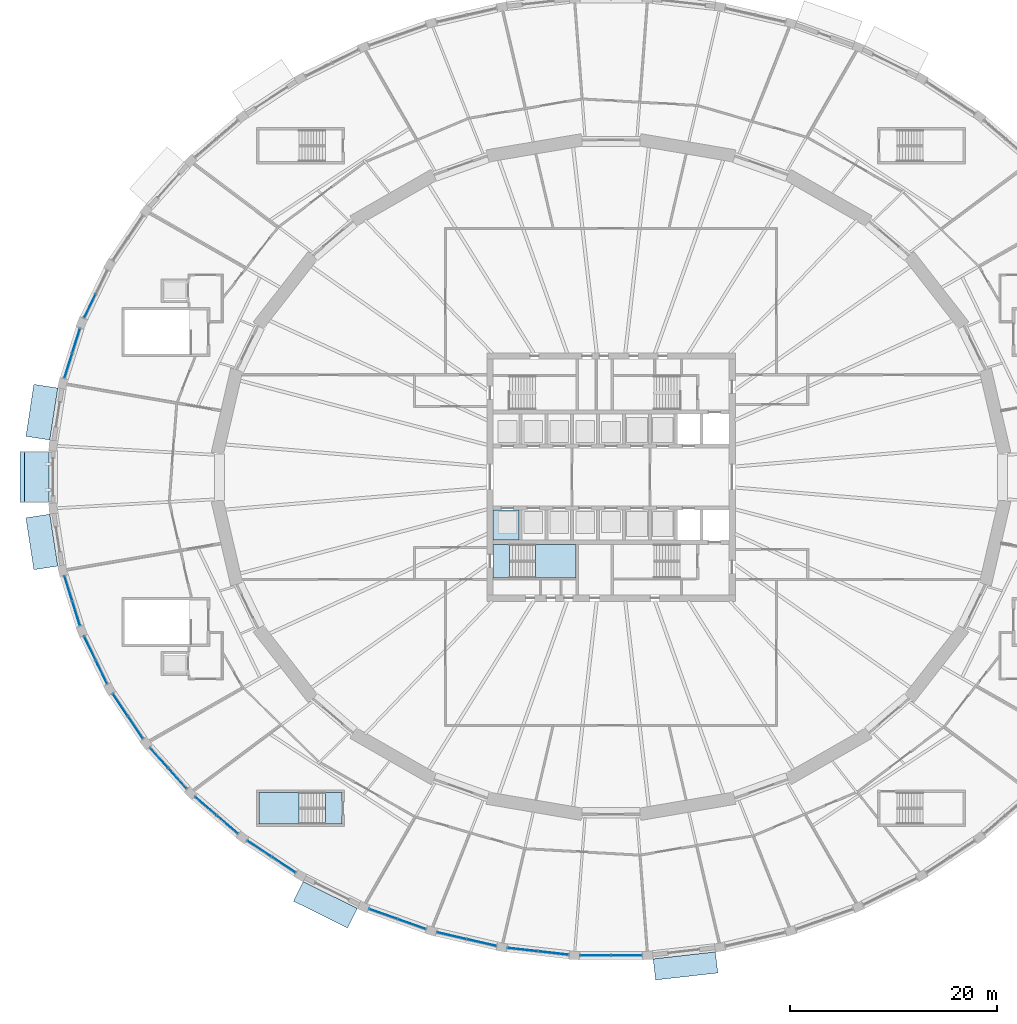
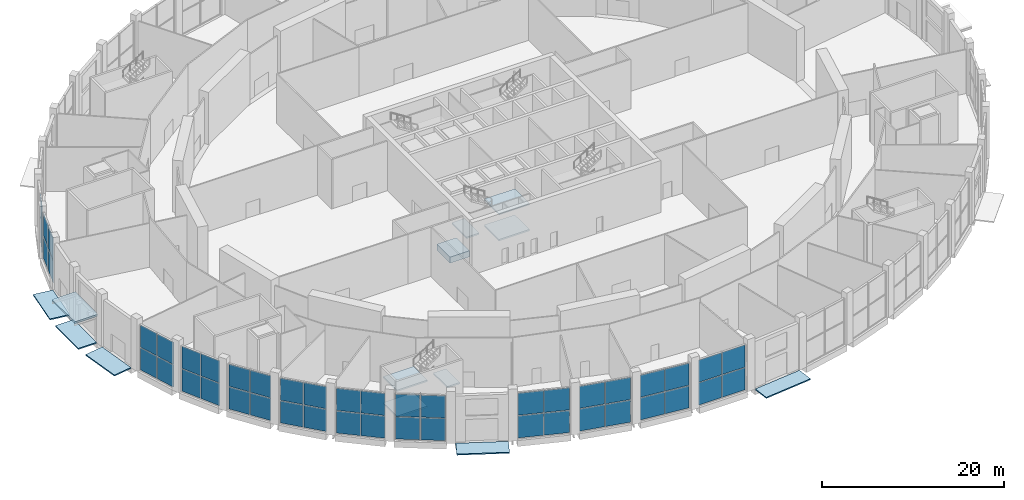
# One storey, part 15 of 33: 46 plates, 13 slabs, 14 elements without a shape of their own.
"""IFC4 building model written with IfcOpenShell, lengths in metres."""

from ifc_helpers import new_model, si_unit, direction, frame, origin, origin_2d, place, context, subcontext, project, spatial, polyline, rectangle, outline, extrude, material, layer, layer_set, type_object, element, aggregate, save


model = new_model("IFC4")

# Units and contexts
model_context = context("Model", 3, precision=1e-05, world=origin(), true_north=direction((0.0, 1.0)))
body_context = subcontext(model_context, "Body", "Model", "MODEL_VIEW")
ifc_project = project(units=[si_unit("LENGTHUNIT", "METRE"), si_unit("AREAUNIT", "SQUARE_METRE"), si_unit("VOLUMEUNIT", "CUBIC_METRE"), si_unit("PLANEANGLEUNIT", "RADIAN"), si_unit("MASSUNIT", "GRAM", prefix="KILO")], contexts=[model_context])

# Site, building, storey
site_placement = place(None, origin())
site = spatial("IfcSite", under=ifc_project, at=site_placement, CompositionType="ELEMENT")
building_placement = place(site_placement, origin())
building = spatial("IfcBuilding", under=site, at=building_placement, Name="Halqa Exchange Tower", CompositionType="ELEMENT")
storey_placement = place(building_placement, origin())
storey = spatial("IfcBuildingStorey", under=building, at=storey_placement, Name="L00", CompositionType="ELEMENT", Elevation=0.0)

# Slabs
ifc_material_1 = material(Name="Limestone cladding", Category="masonry")
ifc_layer_1 = layer(ifc_material_1, 0.0400390625)
ifc_material_2 = material(Name="Concrete C40/50 precast", Category="concrete")
ifc_layer_2 = layer(ifc_material_2, 0.2099609375)
ifc_layer_set_1 = layer_set([ifc_layer_1, ifc_layer_2], Name="Entrance canopy plate 250")
slab_type_1 = type_object("IfcSlabType", Name="Entrance canopy plate 250", PredefinedType="ROOF", material=ifc_layer_set_1)
slab_1_placement = place(storey_placement, frame((-55.58447265625, 0.0, 3.449951171875), z_axis=(0.0, 0.0, 1.0), x_axis=(0.0, -1.0, 0.0)))
element("IfcSlab", 1, at=slab_1_placement, inside=storey, type_object=slab_type_1, Name="Station entrance canopy 5", PredefinedType="ROOF", context=body_context, shape_type="SweptSolid", body=[
    extrude(rectangle(XDim=4.996337890625, YDim=3.0, at=origin_2d()), origin(), (0.0, 0.0, 1.0), 0.25),
])
ifc_material_3 = material(Name="Granite paving on compacted base", Category="masonry")
ifc_layer_3 = layer(ifc_material_3, 0.14990234375)
ifc_layer_set_2 = layer_set([ifc_layer_3], Name="Granite paving on compacted base")
slab_type_2 = type_object("IfcSlabType", Name="Forecourt paving 150", PredefinedType="USERDEFINED", material=ifc_layer_set_2)
slab_2_placement = place(storey_placement, frame((0.0, 0.0, -0.14990234375)))
element("IfcSlab", 2, at=slab_2_placement, inside=storey, type_object=slab_type_2, Name="Forecourt paving 41", ObjectType="PAVING", PredefinedType="USERDEFINED", context=body_context, shape_type="SweptSolid", body=[
    extrude(outline(polyline([(-53.43359375, 8.59912109375), (-54.203857421875, 3.5830078125), (-56.513916015625, 3.937744140625), (-55.74365234375, 8.953857421875), (-53.43359375, 8.59912109375)])), origin(), (0.0, 0.0, 1.0), 0.14990234375),
])
slab_3_placement = place(storey_placement, frame((0.0, 0.0, -0.14990234375)))
element("IfcSlab", 3, at=slab_3_placement, inside=storey, type_object=slab_type_2, Name="Forecourt paving 5", ObjectType="PAVING", PredefinedType="USERDEFINED", context=body_context, shape_type="SweptSolid", body=[
    extrude(outline(polyline([(-54.284423828125, 2.5283203125), (-54.284423828125, -2.5283203125), (-56.6279296875, -2.5283203125), (-56.6279296875, 2.5283203125), (-54.284423828125, 2.5283203125)])), origin(), (0.0, 0.0, 1.0), 0.14990234375),
])
slab_4_placement = place(storey_placement, frame((0.0, 0.0, -0.14990234375)))
element("IfcSlab", 4, at=slab_4_placement, inside=storey, type_object=slab_type_2, Name="Forecourt paving 42", ObjectType="PAVING", PredefinedType="USERDEFINED", context=body_context, shape_type="SweptSolid", body=[
    extrude(outline(polyline([(-54.203857421875, -3.5830078125), (-53.43359375, -8.59912109375), (-55.74365234375, -8.953857421875), (-56.513916015625, -3.937744140625), (-54.203857421875, -3.5830078125)])), origin(), (0.0, 0.0, 1.0), 0.14990234375),
])
slab_5_placement = place(storey_placement, frame((0.0, 0.0, -0.14990234375)))
element("IfcSlab", 5, at=slab_5_placement, inside=storey, type_object=slab_type_2, Name="Forecourt paving 6", ObjectType="PAVING", PredefinedType="USERDEFINED", context=body_context, shape_type="SweptSolid", body=[
    extrude(outline(polyline([(-29.730224609375, -39.077392578125), (-24.50927734375, -41.661865234375), (-25.443359375, -43.548828125), (-30.664306640625, -40.96435546875), (-29.730224609375, -39.077392578125)])), origin(), (0.0, 0.0, 1.0), 0.14990234375),
])
slab_6_placement = place(storey_placement, frame((0.0, 0.0, -0.14990234375)))
element("IfcSlab", 6, at=slab_6_placement, inside=storey, type_object=slab_type_2, Name="Forecourt paving 7", ObjectType="PAVING", PredefinedType="USERDEFINED", context=body_context, shape_type="SweptSolid", body=[
    extrude(outline(polyline([(4.073486328125, -46.542236328125), (10.0830078125, -45.864013671875), (10.312744140625, -47.899169921875), (4.30322265625, -48.577392578125), (4.073486328125, -46.542236328125)])), origin(), (0.0, 0.0, 1.0), 0.14990234375),
])

# Curtain wall, plates
ifc_material_4 = material(Name="Anodised aluminium and clear glass", Category="aluminium")
curtain_wall_type = type_object("IfcCurtainWallType", Name="Station concourse glazing", PredefinedType="NOTDEFINED", material=ifc_material_4)
curtain_wall_1_placement = place(storey_placement, origin())
curtain_wall_1 = element("IfcCurtainWall", 7, at=curtain_wall_1_placement, inside=storey, type_object=curtain_wall_type, Name="Station concourse glazing run P21", PredefinedType="NOTDEFINED")
ifc_material_5 = material(Name="Clear glass", Category="glass")
ifc_layer_4 = layer(ifc_material_5, 0.0400390625)
ifc_layer_set_3 = layer_set([ifc_layer_4], Name="Clear glass")
plate_type = type_object("IfcPlateType", Name="Laminated clear glass panel 40", PredefinedType="CURTAIN_PANEL", material=ifc_layer_set_3)
plate_1_placement = place(storey_placement, frame((-50.341064453125, 16.524658203125, 0.080078125), z_axis=(0.0, 0.0, 1.0), x_axis=(-0.434989864727, -0.90043534892, 0.0)))
plate_1 = element("IfcPlate", 8, at=plate_1_placement, type_object=plate_type, Name="P21 panel 2.1", PredefinedType="CURTAIN_PANEL", context=body_context, shape_type="SweptSolid", body=[
    extrude(rectangle(XDim=2.487060546875, YDim=0.0400390625, at=origin_2d()), origin(), (0.0, 0.0, 1.0), 2.97998046875),
])
plate_2_placement = place(storey_placement, frame((-50.341064453125, 16.524658203125, 3.139892578125), z_axis=(0.0, 0.0, 1.0), x_axis=(-0.434989864727, -0.90043534892, 0.0)))
plate_2 = element("IfcPlate", 9, at=plate_2_placement, type_object=plate_type, Name="P21 panel 2.2", PredefinedType="CURTAIN_PANEL", context=body_context, shape_type="SweptSolid", body=[
    extrude(rectangle(XDim=2.487060546875, YDim=0.0400390625, at=origin_2d()), origin(), (0.0, 0.0, 1.0), 2.97998046875),
])
aggregate(curtain_wall_1, [plate_1, plate_2])

curtain_wall_2_placement = place(storey_placement, origin())
curtain_wall_2 = element("IfcCurtainWall", 10, at=curtain_wall_2_placement, inside=storey, type_object=curtain_wall_type, Name="Station concourse glazing run P22", PredefinedType="NOTDEFINED")
plate_3_placement = place(storey_placement, frame((-51.671875, 13.162353515625, 0.080078125), z_axis=(0.0, 0.0, 1.0), x_axis=(-0.298302746613, -0.95447130463, 0.0)))
plate_3 = element("IfcPlate", 11, at=plate_3_placement, type_object=plate_type, Name="P22 panel 1.1", PredefinedType="CURTAIN_PANEL", context=body_context, shape_type="SweptSolid", body=[
    extrude(rectangle(XDim=2.444580078125, YDim=0.0400390625, at=origin_2d()), origin(), (0.0, 0.0, 1.0), 2.97998046875),
])
plate_4_placement = place(storey_placement, frame((-51.671875, 13.162353515625, 3.139892578125), z_axis=(0.0, 0.0, 1.0), x_axis=(-0.298302746613, -0.95447130463, 0.0)))
plate_4 = element("IfcPlate", 12, at=plate_4_placement, type_object=plate_type, Name="P22 panel 1.2", PredefinedType="CURTAIN_PANEL", context=body_context, shape_type="SweptSolid", body=[
    extrude(rectangle(XDim=2.444580078125, YDim=0.0400390625, at=origin_2d()), origin(), (0.0, 0.0, 1.0), 2.97998046875),
])
plate_5_placement = place(storey_placement, frame((-52.4248046875, 10.7529296875, 0.080078125), z_axis=(0.0, 0.0, 1.0), x_axis=(-0.298302746613, -0.95447130463, 0.0)))
plate_5 = element("IfcPlate", 13, at=plate_5_placement, type_object=plate_type, Name="P22 panel 2.1", PredefinedType="CURTAIN_PANEL", context=body_context, shape_type="SweptSolid", body=[
    extrude(rectangle(XDim=2.444580078125, YDim=0.0400390625, at=origin_2d()), origin(), (0.0, 0.0, 1.0), 2.97998046875),
])
plate_6_placement = place(storey_placement, frame((-52.4248046875, 10.7529296875, 3.139892578125), z_axis=(0.0, 0.0, 1.0), x_axis=(-0.298302746613, -0.95447130463, 0.0)))
plate_6 = element("IfcPlate", 14, at=plate_6_placement, type_object=plate_type, Name="P22 panel 2.2", PredefinedType="CURTAIN_PANEL", context=body_context, shape_type="SweptSolid", body=[
    extrude(rectangle(XDim=2.444580078125, YDim=0.0400390625, at=origin_2d()), origin(), (0.0, 0.0, 1.0), 2.97998046875),
])
aggregate(curtain_wall_2, [plate_3, plate_4, plate_5, plate_6])

curtain_wall_3_placement = place(storey_placement, origin())
curtain_wall_3 = element("IfcCurtainWall", 15, at=curtain_wall_3_placement, inside=storey, type_object=curtain_wall_type, Name="Station concourse glazing run P26", PredefinedType="NOTDEFINED")
plate_7_placement = place(storey_placement, frame((-52.4248046875, -10.7529296875, 0.080078125), z_axis=(0.0, 0.0, 1.0), x_axis=(0.298302746613, -0.95447130463, 0.0)))
plate_7 = element("IfcPlate", 16, at=plate_7_placement, type_object=plate_type, Name="P26 panel 1.1", PredefinedType="CURTAIN_PANEL", context=body_context, shape_type="SweptSolid", body=[
    extrude(rectangle(XDim=2.444580078125, YDim=0.0400390625, at=origin_2d()), origin(), (0.0, 0.0, 1.0), 2.97998046875),
])
plate_8_placement = place(storey_placement, frame((-52.4248046875, -10.7529296875, 3.139892578125), z_axis=(0.0, 0.0, 1.0), x_axis=(0.298302746613, -0.95447130463, 0.0)))
plate_8 = element("IfcPlate", 17, at=plate_8_placement, type_object=plate_type, Name="P26 panel 1.2", PredefinedType="CURTAIN_PANEL", context=body_context, shape_type="SweptSolid", body=[
    extrude(rectangle(XDim=2.444580078125, YDim=0.0400390625, at=origin_2d()), origin(), (0.0, 0.0, 1.0), 2.97998046875),
])
plate_9_placement = place(storey_placement, frame((-51.671875, -13.162353515625, 0.080078125), z_axis=(0.0, 0.0, 1.0), x_axis=(0.298302746613, -0.95447130463, 0.0)))
plate_9 = element("IfcPlate", 18, at=plate_9_placement, type_object=plate_type, Name="P26 panel 2.1", PredefinedType="CURTAIN_PANEL", context=body_context, shape_type="SweptSolid", body=[
    extrude(rectangle(XDim=2.444580078125, YDim=0.0400390625, at=origin_2d()), origin(), (0.0, 0.0, 1.0), 2.97998046875),
])
plate_10_placement = place(storey_placement, frame((-51.671875, -13.162353515625, 3.139892578125), z_axis=(0.0, 0.0, 1.0), x_axis=(0.298302746613, -0.95447130463, 0.0)))
plate_10 = element("IfcPlate", 19, at=plate_10_placement, type_object=plate_type, Name="P26 panel 2.2", PredefinedType="CURTAIN_PANEL", context=body_context, shape_type="SweptSolid", body=[
    extrude(rectangle(XDim=2.444580078125, YDim=0.0400390625, at=origin_2d()), origin(), (0.0, 0.0, 1.0), 2.97998046875),
])
aggregate(curtain_wall_3, [plate_7, plate_8, plate_9, plate_10])

curtain_wall_4_placement = place(storey_placement, origin())
curtain_wall_4 = element("IfcCurtainWall", 20, at=curtain_wall_4_placement, inside=storey, type_object=curtain_wall_type, Name="Station concourse glazing run P27", PredefinedType="NOTDEFINED")
plate_11_placement = place(storey_placement, frame((-50.341064453125, -16.524658203125, 0.080078125), z_axis=(0.0, 0.0, 1.0), x_axis=(0.434989864727, -0.90043534892, 0.0)))
plate_11 = element("IfcPlate", 21, at=plate_11_placement, type_object=plate_type, Name="P27 panel 1.1", PredefinedType="CURTAIN_PANEL", context=body_context, shape_type="SweptSolid", body=[
    extrude(rectangle(XDim=2.487060546875, YDim=0.0400390625, at=origin_2d()), origin(), (0.0, 0.0, 1.0), 2.97998046875),
])
plate_12_placement = place(storey_placement, frame((-50.341064453125, -16.524658203125, 3.139892578125), z_axis=(0.0, 0.0, 1.0), x_axis=(0.434989864727, -0.90043534892, 0.0)))
plate_12 = element("IfcPlate", 22, at=plate_12_placement, type_object=plate_type, Name="P27 panel 1.2", PredefinedType="CURTAIN_PANEL", context=body_context, shape_type="SweptSolid", body=[
    extrude(rectangle(XDim=2.487060546875, YDim=0.0400390625, at=origin_2d()), origin(), (0.0, 0.0, 1.0), 2.97998046875),
])
plate_13_placement = place(storey_placement, frame((-49.224365234375, -18.8359375, 0.080078125), z_axis=(0.0, 0.0, 1.0), x_axis=(0.434989864727, -0.90043534892, 0.0)))
plate_13 = element("IfcPlate", 23, at=plate_13_placement, type_object=plate_type, Name="P27 panel 2.1", PredefinedType="CURTAIN_PANEL", context=body_context, shape_type="SweptSolid", body=[
    extrude(rectangle(XDim=2.487060546875, YDim=0.0400390625, at=origin_2d()), origin(), (0.0, 0.0, 1.0), 2.97998046875),
])
plate_14_placement = place(storey_placement, frame((-49.224365234375, -18.8359375, 3.139892578125), z_axis=(0.0, 0.0, 1.0), x_axis=(0.434989864727, -0.90043534892, 0.0)))
plate_14 = element("IfcPlate", 24, at=plate_14_placement, type_object=plate_type, Name="P27 panel 2.2", PredefinedType="CURTAIN_PANEL", context=body_context, shape_type="SweptSolid", body=[
    extrude(rectangle(XDim=2.487060546875, YDim=0.0400390625, at=origin_2d()), origin(), (0.0, 0.0, 1.0), 2.97998046875),
])
aggregate(curtain_wall_4, [plate_11, plate_12, plate_13, plate_14])

curtain_wall_5_placement = place(storey_placement, origin())
curtain_wall_5 = element("IfcCurtainWall", 25, at=curtain_wall_5_placement, inside=storey, type_object=curtain_wall_type, Name="Station concourse glazing run P28", PredefinedType="NOTDEFINED")
plate_15_placement = place(storey_placement, frame((-47.3974609375, -22.01318359375, 0.080078125), z_axis=(0.0, 0.0, 1.0), x_axis=(0.55852230535, -0.8294895023, 0.0)))
plate_15 = element("IfcPlate", 26, at=plate_15_placement, type_object=plate_type, Name="P28 panel 1.1", PredefinedType="CURTAIN_PANEL", context=body_context, shape_type="SweptSolid", body=[
    extrude(rectangle(XDim=2.54150390625, YDim=0.0400390625, at=origin_2d()), origin(), (0.0, 0.0, 1.0), 2.97998046875),
])
plate_16_placement = place(storey_placement, frame((-47.3974609375, -22.01318359375, 3.139892578125), z_axis=(0.0, 0.0, 1.0), x_axis=(0.55852230535, -0.8294895023, 0.0)))
plate_16 = element("IfcPlate", 27, at=plate_16_placement, type_object=plate_type, Name="P28 panel 1.2", PredefinedType="CURTAIN_PANEL", context=body_context, shape_type="SweptSolid", body=[
    extrude(rectangle(XDim=2.54150390625, YDim=0.0400390625, at=origin_2d()), origin(), (0.0, 0.0, 1.0), 2.97998046875),
])
plate_17_placement = place(storey_placement, frame((-45.93310546875, -24.187744140625, 0.080078125), z_axis=(0.0, 0.0, 1.0), x_axis=(0.55852230535, -0.8294895023, 0.0)))
plate_17 = element("IfcPlate", 28, at=plate_17_placement, type_object=plate_type, Name="P28 panel 2.1", PredefinedType="CURTAIN_PANEL", context=body_context, shape_type="SweptSolid", body=[
    extrude(rectangle(XDim=2.54150390625, YDim=0.0400390625, at=origin_2d()), origin(), (0.0, 0.0, 1.0), 2.97998046875),
])
plate_18_placement = place(storey_placement, frame((-45.93310546875, -24.187744140625, 3.139892578125), z_axis=(0.0, 0.0, 1.0), x_axis=(0.55852230535, -0.8294895023, 0.0)))
plate_18 = element("IfcPlate", 29, at=plate_18_placement, type_object=plate_type, Name="P28 panel 2.2", PredefinedType="CURTAIN_PANEL", context=body_context, shape_type="SweptSolid", body=[
    extrude(rectangle(XDim=2.54150390625, YDim=0.0400390625, at=origin_2d()), origin(), (0.0, 0.0, 1.0), 2.97998046875),
])
aggregate(curtain_wall_5, [plate_15, plate_16, plate_17, plate_18])

curtain_wall_6_placement = place(storey_placement, origin())
curtain_wall_6 = element("IfcCurtainWall", 30, at=curtain_wall_6_placement, inside=storey, type_object=curtain_wall_type, Name="Station concourse glazing run P29", PredefinedType="NOTDEFINED")
plate_19_placement = place(storey_placement, frame((-43.644287109375, -27.125244140625, 0.080078125), z_axis=(0.0, 0.0, 1.0), x_axis=(0.666899477539, -0.74514769466, 0.0)))
plate_19 = element("IfcPlate", 31, at=plate_19_placement, type_object=plate_type, Name="P29 panel 1.1", PredefinedType="CURTAIN_PANEL", context=body_context, shape_type="SweptSolid", body=[
    extrude(rectangle(XDim=2.60400390625, YDim=0.0400390625, at=origin_2d()), origin(), (0.0, 0.0, 1.0), 2.97998046875),
])
plate_20_placement = place(storey_placement, frame((-43.644287109375, -27.125244140625, 3.139892578125), z_axis=(0.0, 0.0, 1.0), x_axis=(0.666899477539, -0.74514769466, 0.0)))
plate_20 = element("IfcPlate", 32, at=plate_20_placement, type_object=plate_type, Name="P29 panel 1.2", PredefinedType="CURTAIN_PANEL", context=body_context, shape_type="SweptSolid", body=[
    extrude(rectangle(XDim=2.60400390625, YDim=0.0400390625, at=origin_2d()), origin(), (0.0, 0.0, 1.0), 2.97998046875),
])
plate_21_placement = place(storey_placement, frame((-41.854248046875, -29.125244140625, 0.080078125), z_axis=(0.0, 0.0, 1.0), x_axis=(0.666899477539, -0.74514769466, 0.0)))
plate_21 = element("IfcPlate", 33, at=plate_21_placement, type_object=plate_type, Name="P29 panel 2.1", PredefinedType="CURTAIN_PANEL", context=body_context, shape_type="SweptSolid", body=[
    extrude(rectangle(XDim=2.60400390625, YDim=0.0400390625, at=origin_2d()), origin(), (0.0, 0.0, 1.0), 2.97998046875),
])
plate_22_placement = place(storey_placement, frame((-41.854248046875, -29.125244140625, 3.139892578125), z_axis=(0.0, 0.0, 1.0), x_axis=(0.666899477539, -0.74514769466, 0.0)))
plate_22 = element("IfcPlate", 34, at=plate_22_placement, type_object=plate_type, Name="P29 panel 2.2", PredefinedType="CURTAIN_PANEL", context=body_context, shape_type="SweptSolid", body=[
    extrude(rectangle(XDim=2.60400390625, YDim=0.0400390625, at=origin_2d()), origin(), (0.0, 0.0, 1.0), 2.97998046875),
])
aggregate(curtain_wall_6, [plate_19, plate_20, plate_21, plate_22])

curtain_wall_7_placement = place(storey_placement, origin())
curtain_wall_7 = element("IfcCurtainWall", 35, at=curtain_wall_7_placement, inside=storey, type_object=curtain_wall_type, Name="Station concourse glazing run P30", PredefinedType="NOTDEFINED")
plate_23_placement = place(storey_placement, frame((-39.145751953125, -31.774169921875, 0.080078125), z_axis=(0.0, 0.0, 1.0), x_axis=(0.759154109704, -0.650910929175, 0.0)))
plate_23 = element("IfcPlate", 36, at=plate_23_placement, type_object=plate_type, Name="P30 panel 1.1", PredefinedType="CURTAIN_PANEL", context=body_context, shape_type="SweptSolid", body=[
    extrude(rectangle(XDim=2.66943359375, YDim=0.0400390625, at=origin_2d()), origin(), (0.0, 0.0, 1.0), 2.97998046875),
])
plate_24_placement = place(storey_placement, frame((-39.145751953125, -31.774169921875, 3.139892578125), z_axis=(0.0, 0.0, 1.0), x_axis=(0.759154109704, -0.650910929175, 0.0)))
plate_24 = element("IfcPlate", 37, at=plate_24_placement, type_object=plate_type, Name="P30 panel 1.2", PredefinedType="CURTAIN_PANEL", context=body_context, shape_type="SweptSolid", body=[
    extrude(rectangle(XDim=2.66943359375, YDim=0.0400390625, at=origin_2d()), origin(), (0.0, 0.0, 1.0), 2.97998046875),
])
plate_25_placement = place(storey_placement, frame((-37.058349609375, -33.563720703125, 0.080078125), z_axis=(0.0, 0.0, 1.0), x_axis=(0.759154109704, -0.650910929175, 0.0)))
plate_25 = element("IfcPlate", 38, at=plate_25_placement, type_object=plate_type, Name="P30 panel 2.1", PredefinedType="CURTAIN_PANEL", context=body_context, shape_type="SweptSolid", body=[
    extrude(rectangle(XDim=2.66943359375, YDim=0.0400390625, at=origin_2d()), origin(), (0.0, 0.0, 1.0), 2.97998046875),
])
plate_26_placement = place(storey_placement, frame((-37.058349609375, -33.563720703125, 3.139892578125), z_axis=(0.0, 0.0, 1.0), x_axis=(0.759154109704, -0.650910929175, 0.0)))
plate_26 = element("IfcPlate", 39, at=plate_26_placement, type_object=plate_type, Name="P30 panel 2.2", PredefinedType="CURTAIN_PANEL", context=body_context, shape_type="SweptSolid", body=[
    extrude(rectangle(XDim=2.66943359375, YDim=0.0400390625, at=origin_2d()), origin(), (0.0, 0.0, 1.0), 2.97998046875),
])
aggregate(curtain_wall_7, [plate_23, plate_24, plate_25, plate_26])

curtain_wall_8_placement = place(storey_placement, origin())
curtain_wall_8 = element("IfcCurtainWall", 40, at=curtain_wall_8_placement, inside=storey, type_object=curtain_wall_type, Name="Station concourse glazing run P31", PredefinedType="NOTDEFINED")
plate_27_placement = place(storey_placement, frame((-33.978271484375, -35.88037109375, 0.080078125), z_axis=(0.0, 0.0, 1.0), x_axis=(0.835414753652, -0.549620040919, 0.0)))
plate_27 = element("IfcPlate", 41, at=plate_27_placement, type_object=plate_type, Name="P31 panel 1.1", PredefinedType="CURTAIN_PANEL", context=body_context, shape_type="SweptSolid", body=[
    extrude(rectangle(XDim=2.73388671875, YDim=0.0400390625, at=origin_2d()), origin(), (0.0, 0.0, 1.0), 2.97998046875),
])
plate_28_placement = place(storey_placement, frame((-33.978271484375, -35.88037109375, 3.139892578125), z_axis=(0.0, 0.0, 1.0), x_axis=(0.835414753652, -0.549620040919, 0.0)))
plate_28 = element("IfcPlate", 42, at=plate_28_placement, type_object=plate_type, Name="P31 panel 1.2", PredefinedType="CURTAIN_PANEL", context=body_context, shape_type="SweptSolid", body=[
    extrude(rectangle(XDim=2.73388671875, YDim=0.0400390625, at=origin_2d()), origin(), (0.0, 0.0, 1.0), 2.97998046875),
])
plate_29_placement = place(storey_placement, frame((-31.62744140625, -37.427001953125, 0.080078125), z_axis=(0.0, 0.0, 1.0), x_axis=(0.835414753652, -0.549620040919, 0.0)))
plate_29 = element("IfcPlate", 43, at=plate_29_placement, type_object=plate_type, Name="P31 panel 2.1", PredefinedType="CURTAIN_PANEL", context=body_context, shape_type="SweptSolid", body=[
    extrude(rectangle(XDim=2.73388671875, YDim=0.0400390625, at=origin_2d()), origin(), (0.0, 0.0, 1.0), 2.97998046875),
])
plate_30_placement = place(storey_placement, frame((-31.62744140625, -37.427001953125, 3.139892578125), z_axis=(0.0, 0.0, 1.0), x_axis=(0.835414753652, -0.549620040919, 0.0)))
plate_30 = element("IfcPlate", 44, at=plate_30_placement, type_object=plate_type, Name="P31 panel 2.2", PredefinedType="CURTAIN_PANEL", context=body_context, shape_type="SweptSolid", body=[
    extrude(rectangle(XDim=2.73388671875, YDim=0.0400390625, at=origin_2d()), origin(), (0.0, 0.0, 1.0), 2.97998046875),
])
aggregate(curtain_wall_8, [plate_27, plate_28, plate_29, plate_30])

curtain_wall_9_placement = place(storey_placement, origin())
curtain_wall_9 = element("IfcCurtainWall", 45, at=curtain_wall_9_placement, inside=storey, type_object=curtain_wall_type, Name="Station concourse glazing run P33", PredefinedType="NOTDEFINED")
plate_31_placement = place(storey_placement, frame((-21.99755859375, -42.195068359375, 0.080078125), z_axis=(0.0, 0.0, 1.0), x_axis=(0.942328875444, -0.334688348326, 0.0)))
plate_31 = element("IfcPlate", 46, at=plate_31_placement, type_object=plate_type, Name="P33 panel 1.1", PredefinedType="CURTAIN_PANEL", context=body_context, shape_type="SweptSolid", body=[
    extrude(rectangle(XDim=2.842529296875, YDim=0.0400390625, at=origin_2d()), origin(), (0.0, 0.0, 1.0), 2.97998046875),
])
plate_32_placement = place(storey_placement, frame((-21.99755859375, -42.195068359375, 3.139892578125), z_axis=(0.0, 0.0, 1.0), x_axis=(0.942328875444, -0.334688348326, 0.0)))
plate_32 = element("IfcPlate", 47, at=plate_32_placement, type_object=plate_type, Name="P33 panel 1.2", PredefinedType="CURTAIN_PANEL", context=body_context, shape_type="SweptSolid", body=[
    extrude(rectangle(XDim=2.842529296875, YDim=0.0400390625, at=origin_2d()), origin(), (0.0, 0.0, 1.0), 2.97998046875),
])
plate_33_placement = place(storey_placement, frame((-19.24365234375, -43.173095703125, 0.080078125), z_axis=(0.0, 0.0, 1.0), x_axis=(0.942328875444, -0.334688348326, 0.0)))
plate_33 = element("IfcPlate", 48, at=plate_33_placement, type_object=plate_type, Name="P33 panel 2.1", PredefinedType="CURTAIN_PANEL", context=body_context, shape_type="SweptSolid", body=[
    extrude(rectangle(XDim=2.842529296875, YDim=0.0400390625, at=origin_2d()), origin(), (0.0, 0.0, 1.0), 2.97998046875),
])
plate_34_placement = place(storey_placement, frame((-19.24365234375, -43.173095703125, 3.139892578125), z_axis=(0.0, 0.0, 1.0), x_axis=(0.942328875444, -0.334688348326, 0.0)))
plate_34 = element("IfcPlate", 49, at=plate_34_placement, type_object=plate_type, Name="P33 panel 2.2", PredefinedType="CURTAIN_PANEL", context=body_context, shape_type="SweptSolid", body=[
    extrude(rectangle(XDim=2.842529296875, YDim=0.0400390625, at=origin_2d()), origin(), (0.0, 0.0, 1.0), 2.97998046875),
])
aggregate(curtain_wall_9, [plate_31, plate_32, plate_33, plate_34])

curtain_wall_10_placement = place(storey_placement, origin())
curtain_wall_10 = element("IfcCurtainWall", 50, at=curtain_wall_10_placement, inside=storey, type_object=curtain_wall_type, Name="Station concourse glazing run P34", PredefinedType="NOTDEFINED")
plate_35_placement = place(storey_placement, frame((-15.388916015625, -44.295166015625, 0.080078125), z_axis=(0.0, 0.0, 1.0), x_axis=(0.974612891234, -0.223896655269, 0.0)))
plate_35 = element("IfcPlate", 51, at=plate_35_placement, type_object=plate_type, Name="P34 panel 1.1", PredefinedType="CURTAIN_PANEL", context=body_context, shape_type="SweptSolid", body=[
    extrude(rectangle(XDim=2.88037109375, YDim=0.0400390625, at=origin_2d()), origin(), (0.0, 0.0, 1.0), 2.97998046875),
])
plate_36_placement = place(storey_placement, frame((-15.388916015625, -44.295166015625, 3.139892578125), z_axis=(0.0, 0.0, 1.0), x_axis=(0.974612891234, -0.223896655269, 0.0)))
plate_36 = element("IfcPlate", 52, at=plate_36_placement, type_object=plate_type, Name="P34 panel 1.2", PredefinedType="CURTAIN_PANEL", context=body_context, shape_type="SweptSolid", body=[
    extrude(rectangle(XDim=2.88037109375, YDim=0.0400390625, at=origin_2d()), origin(), (0.0, 0.0, 1.0), 2.97998046875),
])
plate_37_placement = place(storey_placement, frame((-12.503662109375, -44.9580078125, 0.080078125), z_axis=(0.0, 0.0, 1.0), x_axis=(0.974612891234, -0.223896655269, 0.0)))
plate_37 = element("IfcPlate", 53, at=plate_37_placement, type_object=plate_type, Name="P34 panel 2.1", PredefinedType="CURTAIN_PANEL", context=body_context, shape_type="SweptSolid", body=[
    extrude(rectangle(XDim=2.88037109375, YDim=0.0400390625, at=origin_2d()), origin(), (0.0, 0.0, 1.0), 2.97998046875),
])
plate_38_placement = place(storey_placement, frame((-12.503662109375, -44.9580078125, 3.139892578125), z_axis=(0.0, 0.0, 1.0), x_axis=(0.974612891234, -0.223896655269, 0.0)))
plate_38 = element("IfcPlate", 54, at=plate_38_placement, type_object=plate_type, Name="P34 panel 2.2", PredefinedType="CURTAIN_PANEL", context=body_context, shape_type="SweptSolid", body=[
    extrude(rectangle(XDim=2.88037109375, YDim=0.0400390625, at=origin_2d()), origin(), (0.0, 0.0, 1.0), 2.97998046875),
])
aggregate(curtain_wall_10, [plate_35, plate_36, plate_37, plate_38])

curtain_wall_11_placement = place(storey_placement, origin())
curtain_wall_11 = element("IfcCurtainWall", 55, at=curtain_wall_11_placement, inside=storey, type_object=curtain_wall_type, Name="Station concourse glazing run P35", PredefinedType="NOTDEFINED")
plate_39_placement = place(storey_placement, frame((-8.515869140625, -45.638427734375, 0.080078125), z_axis=(0.0, 0.0, 1.0), x_axis=(0.993690261872, -0.112159098874, 0.0)))
plate_39 = element("IfcPlate", 56, at=plate_39_placement, type_object=plate_type, Name="P35 panel 1.1", PredefinedType="CURTAIN_PANEL", context=body_context, shape_type="SweptSolid", body=[
    extrude(rectangle(XDim=2.90380859375, YDim=0.0400390625, at=origin_2d()), origin(), (0.0, 0.0, 1.0), 2.97998046875),
])
plate_40_placement = place(storey_placement, frame((-8.515869140625, -45.638427734375, 3.139892578125), z_axis=(0.0, 0.0, 1.0), x_axis=(0.993690261872, -0.112159098874, 0.0)))
plate_40 = element("IfcPlate", 57, at=plate_40_placement, type_object=plate_type, Name="P35 panel 1.2", PredefinedType="CURTAIN_PANEL", context=body_context, shape_type="SweptSolid", body=[
    extrude(rectangle(XDim=2.90380859375, YDim=0.0400390625, at=origin_2d()), origin(), (0.0, 0.0, 1.0), 2.97998046875),
])
plate_41_placement = place(storey_placement, frame((-5.55078125, -45.972900390625, 0.080078125), z_axis=(0.0, 0.0, 1.0), x_axis=(0.993690261872, -0.112159098874, 0.0)))
plate_41 = element("IfcPlate", 58, at=plate_41_placement, type_object=plate_type, Name="P35 panel 2.1", PredefinedType="CURTAIN_PANEL", context=body_context, shape_type="SweptSolid", body=[
    extrude(rectangle(XDim=2.90380859375, YDim=0.0400390625, at=origin_2d()), origin(), (0.0, 0.0, 1.0), 2.97998046875),
])
plate_42_placement = place(storey_placement, frame((-5.55078125, -45.972900390625, 3.139892578125), z_axis=(0.0, 0.0, 1.0), x_axis=(0.993690261872, -0.112159098874, 0.0)))
plate_42 = element("IfcPlate", 59, at=plate_42_placement, type_object=plate_type, Name="P35 panel 2.2", PredefinedType="CURTAIN_PANEL", context=body_context, shape_type="SweptSolid", body=[
    extrude(rectangle(XDim=2.90380859375, YDim=0.0400390625, at=origin_2d()), origin(), (0.0, 0.0, 1.0), 2.97998046875),
])
aggregate(curtain_wall_11, [plate_39, plate_40, plate_41, plate_42])

curtain_wall_12_placement = place(storey_placement, origin())
curtain_wall_12 = element("IfcCurtainWall", 60, at=curtain_wall_12_placement, inside=storey, type_object=curtain_wall_type, Name="Station concourse glazing run P36", PredefinedType="NOTDEFINED")
plate_43_placement = place(storey_placement, frame((-1.495849609375, -46.200927734375, 0.080078125), z_axis=(0.0, 0.0, 1.0), x_axis=(1.0, 0.0, 0.0)))
plate_43 = element("IfcPlate", 61, at=plate_43_placement, type_object=plate_type, Name="P36 panel 1.1", PredefinedType="CURTAIN_PANEL", context=body_context, shape_type="SweptSolid", body=[
    extrude(rectangle(XDim=2.911865234375, YDim=0.0400390625, at=origin_2d()), origin(), (0.0, 0.0, 1.0), 2.97998046875),
])
plate_44_placement = place(storey_placement, frame((-1.495849609375, -46.200927734375, 3.139892578125), z_axis=(0.0, 0.0, 1.0), x_axis=(1.0, 0.0, 0.0)))
plate_44 = element("IfcPlate", 62, at=plate_44_placement, type_object=plate_type, Name="P36 panel 1.2", PredefinedType="CURTAIN_PANEL", context=body_context, shape_type="SweptSolid", body=[
    extrude(rectangle(XDim=2.911865234375, YDim=0.0400390625, at=origin_2d()), origin(), (0.0, 0.0, 1.0), 2.97998046875),
])
plate_45_placement = place(storey_placement, frame((1.495849609375, -46.200927734375, 0.080078125), z_axis=(0.0, 0.0, 1.0), x_axis=(1.0, 0.0, 0.0)))
plate_45 = element("IfcPlate", 63, at=plate_45_placement, type_object=plate_type, Name="P36 panel 2.1", PredefinedType="CURTAIN_PANEL", context=body_context, shape_type="SweptSolid", body=[
    extrude(rectangle(XDim=2.911865234375, YDim=0.0400390625, at=origin_2d()), origin(), (0.0, 0.0, 1.0), 2.97998046875),
])
plate_46_placement = place(storey_placement, frame((1.495849609375, -46.200927734375, 3.139892578125), z_axis=(0.0, 0.0, 1.0), x_axis=(1.0, 0.0, 0.0)))
plate_46 = element("IfcPlate", 64, at=plate_46_placement, type_object=plate_type, Name="P36 panel 2.2", PredefinedType="CURTAIN_PANEL", context=body_context, shape_type="SweptSolid", body=[
    extrude(rectangle(XDim=2.911865234375, YDim=0.0400390625, at=origin_2d()), origin(), (0.0, 0.0, 1.0), 2.97998046875),
])
aggregate(curtain_wall_12, [plate_43, plate_44, plate_45, plate_46])

# Slab
ifc_material_6 = material(Name="Concrete C60/75", Category="concrete")
ifc_layer_5 = layer(ifc_material_6, 0.800048828125)
ifc_layer_set_4 = layer_set([ifc_layer_5], Name="Concrete C60/75")
slab_type_3 = type_object("IfcSlabType", Name="Lift pit slab 800", PredefinedType="BASESLAB", material=ifc_layer_set_4)
slab_7_placement = place(storey_placement, frame((0.0, 0.0, -2.199951171875)))
element("IfcSlab", 65, at=slab_7_placement, inside=storey, type_object=slab_type_3, Name="Lift pit slab LR5", PredefinedType="BASESLAB", context=body_context, shape_type="SweptSolid", body=[
    extrude(outline(polyline([(-11.39990234375, -6.10009765625), (-8.89990234375, -6.10009765625), (-8.89990234375, -3.199951171875), (-11.39990234375, -3.199951171875), (-11.39990234375, -6.10009765625)])), origin(), (0.0, 0.0, 1.0), 0.800048828125),
])

# Stair, slabs
ifc_material_7 = material(Name="Concrete C30/37", Category="concrete")
stair_type_1 = type_object("IfcStairType", Name="Exit stair 1500 wide", PredefinedType="HALF_TURN_STAIR", material=ifc_material_7)
stair_1_placement = place(storey_placement, origin())
stair_1 = element("IfcStair", 66, at=stair_1_placement, inside=storey, type_object=stair_type_1, Name="Exit stair ST3", PredefinedType="HALF_TURN_STAIR")
ifc_layer_6 = layer(ifc_material_7, 0.199951171875)
ifc_layer_set_5 = layer_set([ifc_layer_6], Name="Concrete C30/37")
slab_type_4 = type_object("IfcSlabType", Name="Stair landing 200 slab", PredefinedType="LANDING", material=ifc_layer_set_5)
slab_8_placement = place(storey_placement, frame((0.0, 0.0, 1.550048828125)))
slab_8 = element("IfcSlab", 67, at=slab_8_placement, type_object=slab_type_4, Name="ST3 landing 1", PredefinedType="LANDING", context=body_context, shape_type="SweptSolid", body=[
    extrude(outline(polyline([(-7.280029296875, -9.75), (-3.39990234375, -9.75), (-3.39990234375, -6.5), (-7.280029296875, -6.5), (-7.280029296875, -9.75)])), origin(), (0.0, 0.0, 1.0), 0.199951171875),
])
slab_9_placement = place(storey_placement, frame((0.0, 0.0, 3.300048828125)))
slab_9 = element("IfcSlab", 68, at=slab_9_placement, type_object=slab_type_4, Name="ST3 landing 2", PredefinedType="LANDING", context=body_context, shape_type="SweptSolid", body=[
    extrude(outline(polyline([(-11.39990234375, -9.75), (-9.800048828125, -9.75), (-9.800048828125, -6.5), (-11.39990234375, -6.5), (-11.39990234375, -9.75)])), origin(), (0.0, 0.0, 1.0), 0.199951171875),
])
slab_10_placement = place(storey_placement, frame((0.0, 0.0, 5.050048828125)))
slab_10 = element("IfcSlab", 69, at=slab_10_placement, type_object=slab_type_4, Name="ST3 landing 3", PredefinedType="LANDING", context=body_context, shape_type="SweptSolid", body=[
    extrude(outline(polyline([(-7.280029296875, -9.75), (-3.39990234375, -9.75), (-3.39990234375, -6.5), (-7.280029296875, -6.5), (-7.280029296875, -9.75)])), origin(), (0.0, 0.0, 1.0), 0.199951171875),
])
aggregate(stair_1, [slab_8, slab_9, slab_10])

stair_type_2 = type_object("IfcStairType", Name="Exit stair 1400 wide", PredefinedType="HALF_TURN_STAIR", material=ifc_material_7)
stair_2_placement = place(storey_placement, origin())
stair_2 = element("IfcStair", 70, at=stair_2_placement, inside=storey, type_object=stair_type_2, Name="Exit stair PS4", PredefinedType="HALF_TURN_STAIR")
slab_11_placement = place(storey_placement, frame((0.0, 0.0, 1.550048828125)))
slab_11 = element("IfcSlab", 71, at=slab_11_placement, type_object=slab_type_4, Name="PS4 landing 1", PredefinedType="LANDING", context=body_context, shape_type="SweptSolid", body=[
    extrude(outline(polyline([(-34.0, -33.52490234375), (-30.1201171875, -33.52490234375), (-30.1201171875, -30.47509765625), (-34.0, -30.47509765625), (-34.0, -33.52490234375)])), origin(), (0.0, 0.0, 1.0), 0.199951171875),
])
slab_12_placement = place(storey_placement, frame((0.0, 0.0, 3.300048828125)))
slab_12 = element("IfcSlab", 72, at=slab_12_placement, type_object=slab_type_4, Name="PS4 landing 2", PredefinedType="LANDING", context=body_context, shape_type="SweptSolid", body=[
    extrude(outline(polyline([(-27.60009765625, -33.52490234375), (-26.0, -33.52490234375), (-26.0, -30.47509765625), (-27.60009765625, -30.47509765625), (-27.60009765625, -33.52490234375)])), origin(), (0.0, 0.0, 1.0), 0.199951171875),
])
slab_13_placement = place(storey_placement, frame((0.0, 0.0, 5.050048828125)))
slab_13 = element("IfcSlab", 73, at=slab_13_placement, type_object=slab_type_4, Name="PS4 landing 3", PredefinedType="LANDING", context=body_context, shape_type="SweptSolid", body=[
    extrude(outline(polyline([(-34.0, -33.52490234375), (-30.1201171875, -33.52490234375), (-30.1201171875, -30.47509765625), (-34.0, -30.47509765625), (-34.0, -33.52490234375)])), origin(), (0.0, 0.0, 1.0), 0.199951171875),
])
aggregate(stair_2, [slab_11, slab_12, slab_13])

save(model, "model.ifc")
